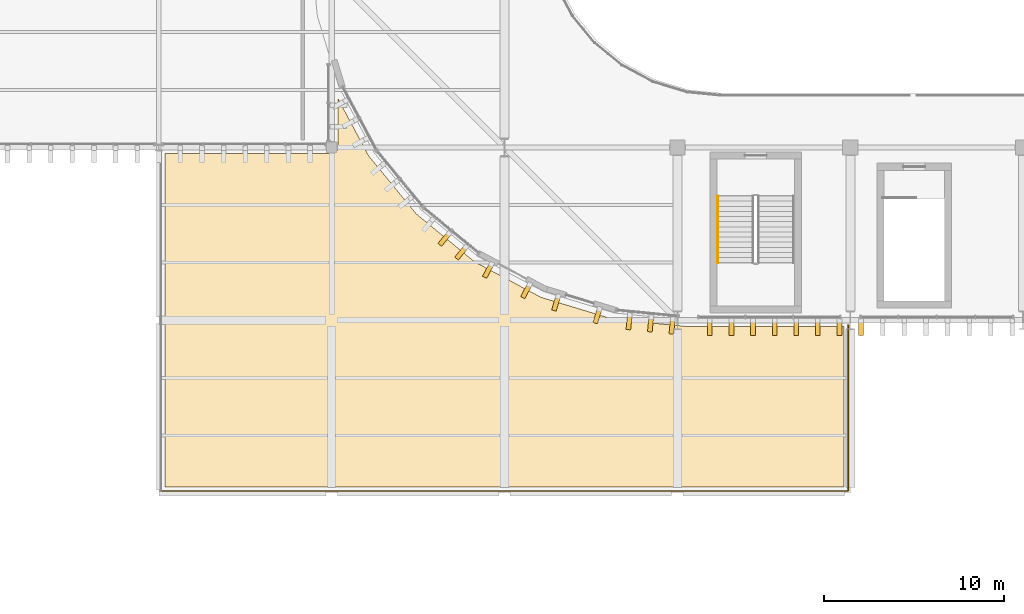
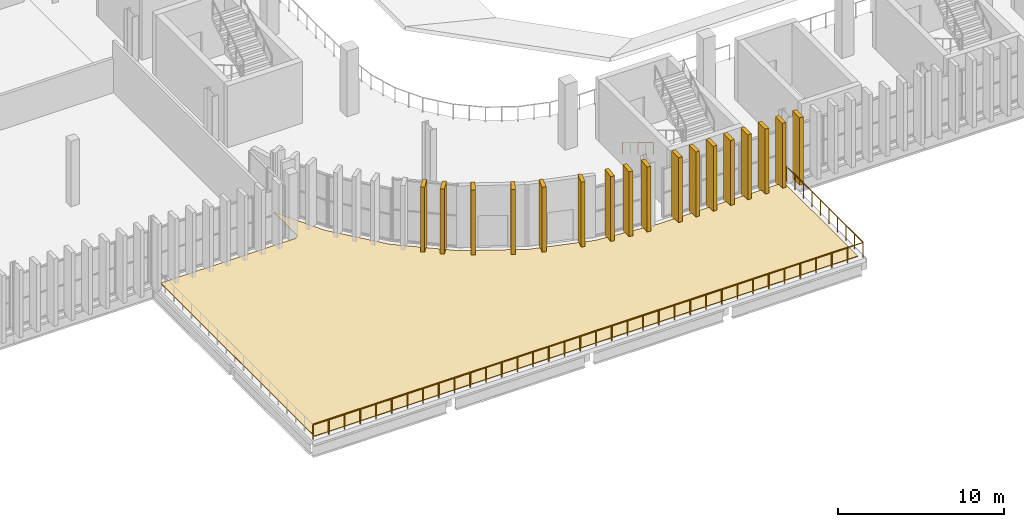
# One storey, part 81 of 99: 18 coverings, 2 railings.
"""IFC4 building model written with IfcOpenShell, lengths in metres."""

from ifc_helpers import new_model, si_unit, direction, frame, origin, origin_2d, place, context, subcontext, project, spatial, polyline, rectangle, circle, outline, extrude, material, layer, layer_set, material_profile, profile_set, type_object, element, save


model = new_model("IFC4")

# Units and contexts
model_context = context("Model", 3, precision=1e-05, world=origin(), true_north=direction((0.0, 1.0)))
body_context = subcontext(model_context, "Body", "Model", "MODEL_VIEW")
ifc_project = project(units=[si_unit("LENGTHUNIT", "METRE"), si_unit("AREAUNIT", "SQUARE_METRE"), si_unit("VOLUMEUNIT", "CUBIC_METRE"), si_unit("PLANEANGLEUNIT", "RADIAN"), si_unit("MASSUNIT", "GRAM", prefix="KILO")], contexts=[model_context])

# Site, building, storey
site_placement = place(None, origin())
site = spatial("IfcSite", under=ifc_project, at=site_placement, CompositionType="ELEMENT")
building_placement = place(site_placement, origin())
building = spatial("IfcBuilding", under=site, at=building_placement, Name="Caelomonte Colonnade Arena", CompositionType="ELEMENT")
storey_placement = place(building_placement, frame((0.0, 0.0, 4.800048828125)))
storey = spatial("IfcBuildingStorey", under=building, at=storey_placement, Name="L01", CompositionType="ELEMENT", Elevation=4.800048828125)

# Coverings
ifc_material_1 = material(Name="Travertine colonnade arrival paving", Category="masonry")
ifc_layer = layer(ifc_material_1, 0.0400390625)
ifc_layer_set = layer_set([ifc_layer], Name="Travertine colonnade arrival paving")
covering_type_1 = type_object("IfcCoveringType", Name="ENV-CV-PAV25", PredefinedType="FLOORING", material=ifc_layer_set)
covering_placement = place(storey_placement, origin())
element("IfcCovering", 1, at=covering_placement, inside=storey, type_object=covering_type_1, Name="South Colonnade Terrace Roof travertine terrace paving 1", PredefinedType="FLOORING", context=body_context, shape_type="SweptSolid", body=[
    extrude(outline(polyline([(48.35009765625, 9.949951171875), (86.050048828125, 9.949951171875), (86.050048828125, 18.85009765625), (77.39990234375, 18.85009765625), (77.36572265625, 18.851806640625), (73.268798828125, 19.255126953125), (73.23486328125, 19.26025390625), (73.201416015625, 19.2685546875), (69.261962890625, 20.463623046875), (69.229736328125, 20.47509765625), (69.198486328125, 20.48974609375), (65.568115234375, 22.430419921875), (65.53857421875, 22.447998046875), (65.510986328125, 22.468505859375), (62.328857421875, 25.080322265625), (62.30322265625, 25.103271484375), (62.2802734375, 25.12890625), (59.668701171875, 28.31103515625), (59.648193359375, 28.33837890625), (59.63037109375, 28.367919921875), (57.949951171875, 31.511962890625), (57.949951171875, 28.800048828125), (57.9482421875, 28.765625), (57.943359375, 28.731689453125), (57.934814453125, 28.698486328125), (57.92333984375, 28.666015625), (57.90869140625, 28.635009765625), (57.89111328125, 28.605712890625), (57.87060546875, 28.577880859375), (57.847412109375, 28.552490234375), (57.822021484375, 28.529296875), (57.79443359375, 28.509033203125), (57.764892578125, 28.4912109375), (57.73388671875, 28.4765625), (57.70166015625, 28.465087890625), (57.668212890625, 28.456787109375), (57.63427734375, 28.45166015625), (57.60009765625, 28.449951171875), (48.35009765625, 28.449951171875), (48.35009765625, 9.949951171875)])), origin(), (0.0, 0.0, 1.0), 0.0400390625),
])
ifc_material_2 = material(Name="Precast travertine cladding", Category="masonry")
ifc_material_profile = material_profile(ifc_material_2, rectangle(XDim=0.260009765625, YDim=0.85009765625, at=origin_2d()), Name="FIN260X850")
ifc_profile_set = profile_set([ifc_material_profile], Name="Precast travertine cladding")
covering_type_2 = type_object("IfcCoveringType", Name="ENV-FN-SHAFT", PredefinedType="CLADDING", material=ifc_profile_set)
for number, where, z_axis, x_axis, name in (
    (2, (63.874755859375, 23.719482421875, -0.16015625), (0.0, 0.0, 1.0), (-0.77299384472, 0.634413521313, 0.0), "V1 L01 classical travertine vertical fin 228"),
    (3, (64.802490234375, 22.958251953125, -0.16015625), (0.0, 0.0, 1.0), (-0.77299384472, 0.634413521313, 0.0), "V1 L01 classical travertine vertical fin 229"),
    (4, (66.29150390625, 21.963134765625, -0.16015625), (0.0, 0.0, 1.0), (-0.881921264348, 0.471396736826, 0.0), "V1 L01 classical travertine vertical fin 230"),
    (5, (68.408203125, 20.831787109375, -0.16015625), (0.0, 0.0, 1.0), (-0.881921264348, 0.471396736826, 0.0), "V1 L01 classical travertine vertical fin 232"),
    (6, (70.062744140625, 20.146484375, -0.16015625), (0.0, 0.0, 1.0), (-0.956942868907, 0.290276326364, 0.0), "V1 L01 classical travertine vertical fin 233"),
    (7, (72.359619140625, 19.44970703125, -0.16015625), (0.0, 0.0, 1.0), (-0.956942868907, 0.290276326364, 0.0), "V1 L01 classical travertine vertical fin 235"),
    (8, (74.1162109375, 19.100341796875, -0.16015625), (0.0, 0.0, 1.0), (-0.995184897743, 0.098015403404, 0.0), "V1 L01 classical travertine vertical fin 236"),
    (9, (75.310302734375, 18.98291015625, -0.16015625), (0.0, 0.0, 1.0), (-0.995184897743, 0.098015403404, 0.0), "V1 L01 classical travertine vertical fin 237"),
    (10, (76.50439453125, 18.865234375, -0.16015625), (0.0, 0.0, 1.0), (-0.995184897743, 0.098015403404, 0.0), "V1 L01 classical travertine vertical fin 238"),
    (11, (78.60009765625, 18.779052734375, -0.16015625), (0.0, 0.0, 1.0), (-1.0, 0.0, 0.0), "V1 L01 classical travertine vertical fin 239"),
    (12, (79.800048828125, 18.779052734375, -0.16015625), (0.0, 0.0, 1.0), (-1.0, 0.0, 0.0), "V1 L01 classical travertine vertical fin 240"),
    (13, (81.0, 18.779052734375, -0.16015625), (0.0, 0.0, 1.0), (-1.0, 0.0, 0.0), "V1 L01 classical travertine vertical fin 241"),
    (14, (82.199951171875, 18.779052734375, -0.16015625), (0.0, 0.0, 1.0), (-1.0, 0.0, 0.0), "V1 L01 classical travertine vertical fin 242"),
    (15, (83.39990234375, 18.779052734375, -0.16015625), (0.0, 0.0, 1.0), (-1.0, 0.0, 0.0), "V1 L01 classical travertine vertical fin 243"),
    (16, (84.60009765625, 18.779052734375, -0.16015625), (0.0, 0.0, 1.0), (-1.0, 0.0, 0.0), "V1 L01 classical travertine vertical fin 244"),
    (17, (85.800048828125, 18.779052734375, -0.16015625), (0.0, 0.0, 1.0), (-1.0, 0.0, 0.0), "V1 L01 classical travertine vertical fin 245"),
    (18, (87.0, 18.779052734375, -0.16015625), (0.0, 0.0, 1.0), (-1.0, 0.0, 0.0), "V1 L01 classical travertine vertical fin 246"),
):
    element("IfcCovering", number, at=place(storey_placement, frame(where, z_axis=z_axis, x_axis=x_axis)), inside=storey, type_object=covering_type_2, Name=name, PredefinedType="CLADDING", context=body_context, shape_type="SweptSolid", body=[
        extrude(rectangle(XDim=0.260009765625, YDim=0.85009765625, at=origin_2d()), origin(), (0.0, 0.0, 1.0), 4.960205078125),
    ])

# Railings
ifc_material_3 = material(Name="Travertine limestone and bronze balustrade", Category="masonry")
railing_type_1 = type_object("IfcRailingType", Name="ENV-RL-BAL1", PredefinedType="BALUSTRADE", material=ifc_material_3)
railing_1_placement = place(storey_placement, frame((86.280029296875, 18.919921875, 0.0)))
element("IfcRailing", 19, at=railing_1_placement, inside=storey, type_object=railing_type_1, Name="South Colonnade Terrace Roof perimeter guard 2", PredefinedType="BALUSTRADE", context=body_context, shape_type="SweptSolid", body=[
    extrude(circle(Radius=0.02392578125, at=origin_2d()), frame((0.0, 0.0, 1.09619140625), z_axis=(0.0, -1.0, 0.0), x_axis=(1.0, 0.0, 0.0)), (0.0, 0.0, 1.0), 9.168701171875),
    extrude(circle(Radius=0.02392578125, at=origin_2d()), frame((-0.03125, -9.199951171875, 1.09619140625), z_axis=(-1.0, 0.0, 0.0), x_axis=(0.0, -1.0, 0.0)), (0.0, 0.0, 1.0), 38.128662109375),
    extrude(circle(Radius=0.02099609375, at=origin_2d()), origin(), (0.0, 0.0, 1.0), 1.068115234375),
    extrude(circle(Radius=0.02099609375, at=origin_2d()), frame((0.0, -1.022216796875, 0.0)), (0.0, 0.0, 1.0), 1.068115234375),
    extrude(circle(Radius=0.02099609375, at=origin_2d()), frame((0.0, -2.04443359375, 0.0)), (0.0, 0.0, 1.0), 1.068115234375),
    extrude(circle(Radius=0.02099609375, at=origin_2d()), frame((0.0, -3.066650390625, 0.0)), (0.0, 0.0, 1.0), 1.068115234375),
    extrude(circle(Radius=0.02099609375, at=origin_2d()), frame((0.0, -4.0888671875, 0.0)), (0.0, 0.0, 1.0), 1.068115234375),
    extrude(circle(Radius=0.02099609375, at=origin_2d()), frame((0.0, -5.111083984375, 0.0)), (0.0, 0.0, 1.0), 1.068115234375),
    extrude(circle(Radius=0.02099609375, at=origin_2d()), frame((0.0, -6.13330078125, 0.0)), (0.0, 0.0, 1.0), 1.068115234375),
    extrude(circle(Radius=0.02099609375, at=origin_2d()), frame((0.0, -7.155517578125, 0.0)), (0.0, 0.0, 1.0), 1.068115234375),
    extrude(circle(Radius=0.02099609375, at=origin_2d()), frame((0.0, -8.177734375, 0.0)), (0.0, 0.0, 1.0), 1.068115234375),
    extrude(circle(Radius=0.02099609375, at=origin_2d()), frame((0.0, -9.199951171875, 0.0)), (0.0, 0.0, 1.0), 1.068115234375),
    extrude(circle(Radius=0.02099609375, at=origin_2d()), frame((-1.09033203125, -9.199951171875, 0.0)), (0.0, 0.0, 1.0), 1.068115234375),
    extrude(circle(Radius=0.02099609375, at=origin_2d()), frame((-2.1806640625, -9.199951171875, 0.0)), (0.0, 0.0, 1.0), 1.068115234375),
    extrude(circle(Radius=0.02099609375, at=origin_2d()), frame((-3.270751953125, -9.199951171875, 0.0)), (0.0, 0.0, 1.0), 1.068115234375),
    extrude(circle(Radius=0.02099609375, at=origin_2d()), frame((-4.361083984375, -9.199951171875, 0.0)), (0.0, 0.0, 1.0), 1.068115234375),
    extrude(circle(Radius=0.02099609375, at=origin_2d()), frame((-5.451416015625, -9.199951171875, 0.0)), (0.0, 0.0, 1.0), 1.068115234375),
    extrude(circle(Radius=0.02099609375, at=origin_2d()), frame((-6.541748046875, -9.199951171875, 0.0)), (0.0, 0.0, 1.0), 1.068115234375),
    extrude(circle(Radius=0.02099609375, at=origin_2d()), frame((-7.632080078125, -9.199951171875, 0.0)), (0.0, 0.0, 1.0), 1.068115234375),
    extrude(circle(Radius=0.02099609375, at=origin_2d()), frame((-8.72216796875, -9.199951171875, 0.0)), (0.0, 0.0, 1.0), 1.068115234375),
    extrude(circle(Radius=0.02099609375, at=origin_2d()), frame((-9.8125, -9.199951171875, 0.0)), (0.0, 0.0, 1.0), 1.068115234375),
    extrude(circle(Radius=0.02099609375, at=origin_2d()), frame((-10.90283203125, -9.199951171875, 0.0)), (0.0, 0.0, 1.0), 1.068115234375),
    extrude(circle(Radius=0.02099609375, at=origin_2d()), frame((-11.9931640625, -9.199951171875, 0.0)), (0.0, 0.0, 1.0), 1.068115234375),
    extrude(circle(Radius=0.02099609375, at=origin_2d()), frame((-13.08349609375, -9.199951171875, 0.0)), (0.0, 0.0, 1.0), 1.068115234375),
    extrude(circle(Radius=0.02099609375, at=origin_2d()), frame((-14.173583984375, -9.199951171875, 0.0)), (0.0, 0.0, 1.0), 1.068115234375),
    extrude(circle(Radius=0.02099609375, at=origin_2d()), frame((-15.263916015625, -9.199951171875, 0.0)), (0.0, 0.0, 1.0), 1.068115234375),
    extrude(circle(Radius=0.02099609375, at=origin_2d()), frame((-16.354248046875, -9.199951171875, 0.0)), (0.0, 0.0, 1.0), 1.068115234375),
    extrude(circle(Radius=0.02099609375, at=origin_2d()), frame((-17.444580078125, -9.199951171875, 0.0)), (0.0, 0.0, 1.0), 1.068115234375),
    extrude(circle(Radius=0.02099609375, at=origin_2d()), frame((-18.534912109375, -9.199951171875, 0.0)), (0.0, 0.0, 1.0), 1.068115234375),
    extrude(circle(Radius=0.02099609375, at=origin_2d()), frame((-19.625, -9.199951171875, 0.0)), (0.0, 0.0, 1.0), 1.068115234375),
    extrude(circle(Radius=0.02099609375, at=origin_2d()), frame((-20.71533203125, -9.199951171875, 0.0)), (0.0, 0.0, 1.0), 1.068115234375),
    extrude(circle(Radius=0.02099609375, at=origin_2d()), frame((-21.8056640625, -9.199951171875, 0.0)), (0.0, 0.0, 1.0), 1.068115234375),
    extrude(circle(Radius=0.02099609375, at=origin_2d()), frame((-22.89599609375, -9.199951171875, 0.0)), (0.0, 0.0, 1.0), 1.068115234375),
    extrude(circle(Radius=0.02099609375, at=origin_2d()), frame((-23.986328125, -9.199951171875, 0.0)), (0.0, 0.0, 1.0), 1.068115234375),
    extrude(circle(Radius=0.02099609375, at=origin_2d()), frame((-25.076416015625, -9.199951171875, 0.0)), (0.0, 0.0, 1.0), 1.068115234375),
    extrude(circle(Radius=0.02099609375, at=origin_2d()), frame((-26.166748046875, -9.199951171875, 0.0)), (0.0, 0.0, 1.0), 1.068115234375),
    extrude(circle(Radius=0.02099609375, at=origin_2d()), frame((-27.257080078125, -9.199951171875, 0.0)), (0.0, 0.0, 1.0), 1.068115234375),
    extrude(circle(Radius=0.02099609375, at=origin_2d()), frame((-28.347412109375, -9.199951171875, 0.0)), (0.0, 0.0, 1.0), 1.068115234375),
    extrude(circle(Radius=0.02099609375, at=origin_2d()), frame((-29.437744140625, -9.199951171875, 0.0)), (0.0, 0.0, 1.0), 1.068115234375),
    extrude(circle(Radius=0.02099609375, at=origin_2d()), frame((-30.52783203125, -9.199951171875, 0.0)), (0.0, 0.0, 1.0), 1.068115234375),
    extrude(circle(Radius=0.02099609375, at=origin_2d()), frame((-31.6181640625, -9.199951171875, 0.0)), (0.0, 0.0, 1.0), 1.068115234375),
    extrude(circle(Radius=0.02099609375, at=origin_2d()), frame((-32.70849609375, -9.199951171875, 0.0)), (0.0, 0.0, 1.0), 1.068115234375),
    extrude(circle(Radius=0.02099609375, at=origin_2d()), frame((-33.798828125, -9.199951171875, 0.0)), (0.0, 0.0, 1.0), 1.068115234375),
    extrude(circle(Radius=0.02099609375, at=origin_2d()), frame((-34.88916015625, -9.199951171875, 0.0)), (0.0, 0.0, 1.0), 1.068115234375),
    extrude(circle(Radius=0.02099609375, at=origin_2d()), frame((-35.979248046875, -9.199951171875, 0.0)), (0.0, 0.0, 1.0), 1.068115234375),
    extrude(circle(Radius=0.02099609375, at=origin_2d()), frame((-37.069580078125, -9.199951171875, 0.0)), (0.0, 0.0, 1.0), 1.068115234375),
    extrude(circle(Radius=0.02099609375, at=origin_2d()), frame((-38.159912109375, -9.199951171875, 0.0)), (0.0, 0.0, 1.0), 1.068115234375),
])
ifc_material_4 = material(Name="Brushed stainless steel stair handrail", Category="steel")
railing_type_2 = type_object("IfcRailingType", Name="INT-RL-HR", PredefinedType="HANDRAIL", material=ifc_material_4)
railing_2_placement = place(storey_placement, frame((79.050048828125, 26.10009765625, 0.17138671875)))
element("IfcRailing", 20, at=railing_2_placement, inside=storey, type_object=railing_type_2, Name="L01 ST-11 stair handrail 1", PredefinedType="HANDRAIL", context=body_context, shape_type="SweptSolid", body=[
    extrude(circle(Radius=0.02392578125, at=origin_2d()), frame((0.0, 0.0, 0.8759765625), z_axis=(0.0, -0.856934400257, 0.515425487977), x_axis=(1.0, 0.0, 0.0)), (0.0, 0.0, 1.0), 4.32373046875),
    extrude(circle(Radius=0.02099609375, at=origin_2d()), origin(), (0.0, 0.0, 1.0), 0.847900390625),
    extrude(circle(Radius=0.02099609375, at=origin_2d()), frame((0.0, -0.92626953125, 0.55712890625)), (0.0, 0.0, 1.0), 0.847900390625),
    extrude(circle(Radius=0.02099609375, at=origin_2d()), frame((0.0, -1.8525390625, 1.1142578125)), (0.0, 0.0, 1.0), 0.847900390625),
    extrude(circle(Radius=0.02099609375, at=origin_2d()), frame((0.0, -2.77880859375, 1.67138671875)), (0.0, 0.0, 1.0), 0.847900390625),
    extrude(circle(Radius=0.02099609375, at=origin_2d()), frame((0.0, -3.705078125, 2.228515625)), (0.0, 0.0, 1.0), 0.847900390625),
])

save(model, "model.ifc")
